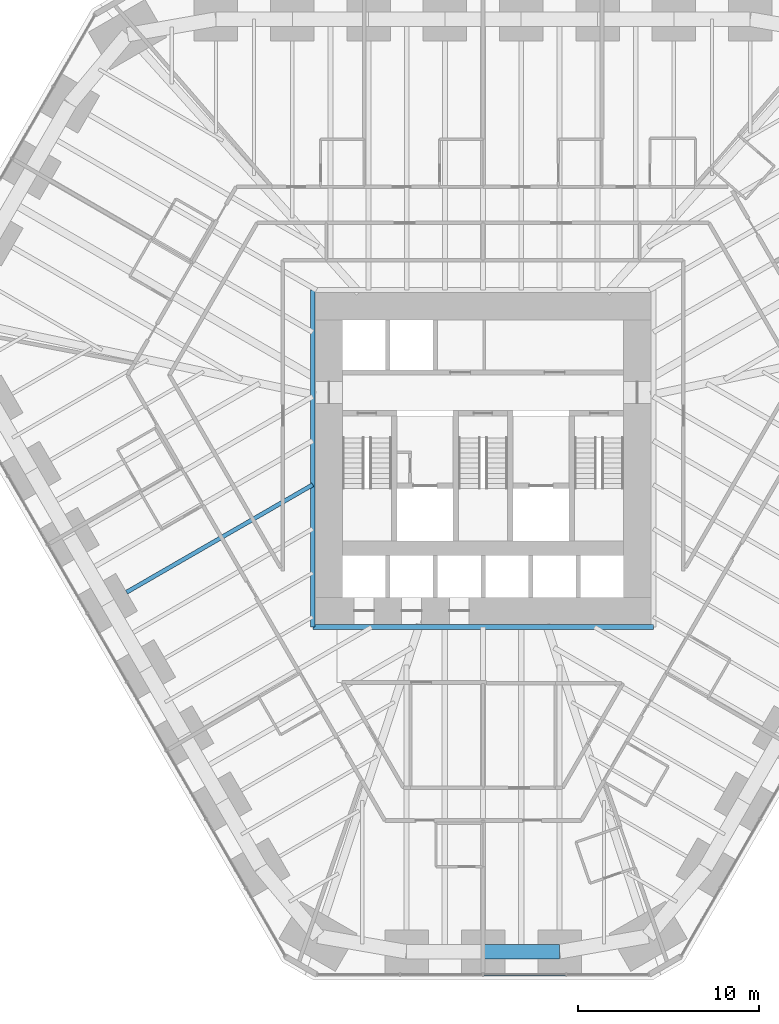
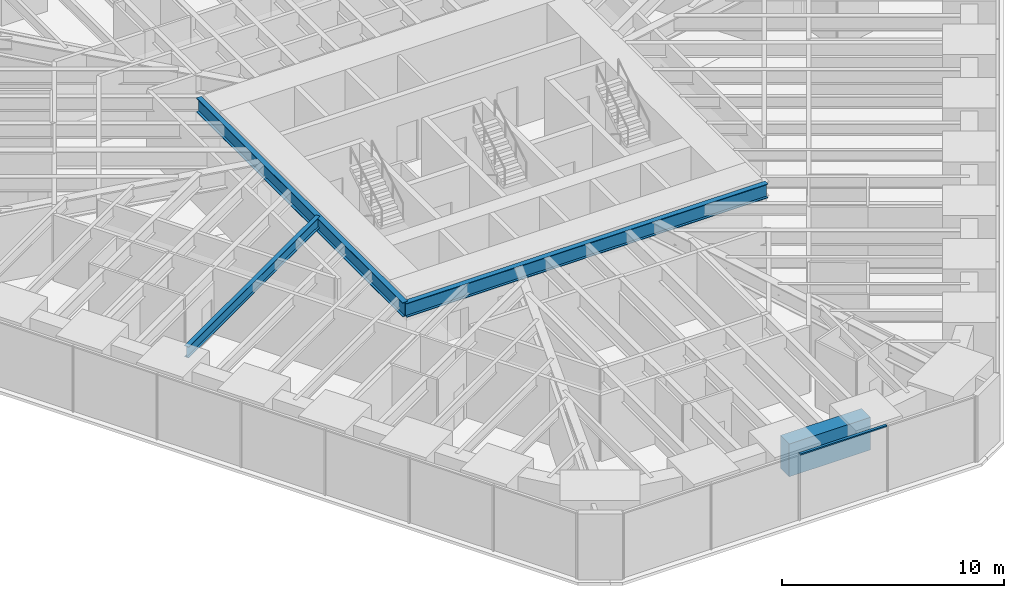
# One storey, part 4 of 17: 4 beams, 1 member, 1 element without a shape of its own.
"""IFC4 building model written with IfcOpenShell, lengths in metres."""

from ifc_helpers import new_model, si_unit, direction, frame, origin, origin_2d, place, context, subcontext, project, spatial, rectangle, i_section, extrude, material, material_profile, profile_set, type_object, element, aggregate, save


model = new_model("IFC4")

# Units and contexts
model_context = context("Model", 3, precision=1e-05, world=origin(), true_north=direction((0.0, 1.0)))
body_context = subcontext(model_context, "Body", "Model", "MODEL_VIEW")
ifc_project = project(units=[si_unit("LENGTHUNIT", "METRE"), si_unit("AREAUNIT", "SQUARE_METRE"), si_unit("VOLUMEUNIT", "CUBIC_METRE"), si_unit("PLANEANGLEUNIT", "RADIAN"), si_unit("MASSUNIT", "GRAM", prefix="KILO")], contexts=[model_context])

# Site, building, storey
site_placement = place(None, origin())
site = spatial("IfcSite", under=ifc_project, at=site_placement, CompositionType="ELEMENT")
building_placement = place(site_placement, origin())
building = spatial("IfcBuilding", under=site, at=building_placement, Name="Sandreach Pilgrim Tower", CompositionType="ELEMENT")
storey_placement = place(building_placement, frame((0.0, 0.0, 42.0)))
storey = spatial("IfcBuildingStorey", under=building, at=storey_placement, Name="L09", CompositionType="ELEMENT", Elevation=42.0)

# Curtain wall, member
ifc_material_1 = material(Name="Aluminium framed curtain wall", Category="aluminium")
curtain_wall_type = type_object("IfcCurtainWallType", Name="Hostel tower curtain wall", PredefinedType="NOTDEFINED", material=ifc_material_1)
curtain_wall_placement = place(storey_placement, origin())
curtain_wall = element("IfcCurtainWall", 1, at=curtain_wall_placement, inside=storey, type_object=curtain_wall_type, Name="CW-1 L09 S", PredefinedType="NOTDEFINED")
ifc_material_2 = material(Name="Aluminium extrusion", Category="aluminium")
ifc_material_profile_1 = material_profile(ifc_material_2, rectangle(XDim=0.139892578125, YDim=0.070068359375, at=origin_2d()), Name="CW-1T 140X70")
ifc_profile_set_1 = profile_set([ifc_material_profile_1], Name="Aluminium extrusion")
member_type = type_object("IfcMemberType", Name="CW-1 transom", PredefinedType="USERDEFINED", material=ifc_profile_set_1)
member_placement = place(storey_placement, frame((4.553466796875, -30.010986328125, 3.60498046875), z_axis=(-1.0, 0.0, 0.0), x_axis=(0.0, -1.0, 0.0)))
member = element("IfcMember", 2, at=member_placement, type_object=member_type, Name="CW-1 head transom 2", ObjectType="TRANSOM", PredefinedType="USERDEFINED", context=body_context, shape_type="SweptSolid", body=[
    extrude(rectangle(XDim=0.139892578125, YDim=0.070068359375, at=origin_2d()), origin(), (0.0, 0.0, 1.0), 4.52099609375),
])
aggregate(curtain_wall, [member])

# Beams
ifc_material_3 = material(Name="Steel ASTM A992 Grade 50", Category="steel")
ifc_material_profile_2 = material_profile(ifc_material_3, i_section(OverallWidth=0.2666015625, OverallDepth=0.77978515625, WebThickness=0.0166015625, FlangeThickness=0.030029296875, at=origin_2d()), Name="W30X148")
ifc_profile_set_2 = profile_set([ifc_material_profile_2], Name="Steel ASTM A992 Grade 50")
beam_type_1 = type_object("IfcBeamType", Name="Core edge beam W30X148", PredefinedType="BEAM", material=ifc_profile_set_2)
beam_1_placement = place(storey_placement, frame((9.393310546875, -10.84326171875, 3.25), z_axis=(-1.0, 0.0, 0.0), x_axis=(0.0, -1.0, 0.0)))
element("IfcBeam", 3, at=beam_1_placement, inside=storey, type_object=beam_type_1, Name="BM L09 CES", PredefinedType="BEAM", context=body_context, shape_type="SweptSolid", body=[
    extrude(i_section(OverallWidth=0.2666015625, OverallDepth=0.77978515625, WebThickness=0.0166015625, FlangeThickness=0.030029296875, at=origin_2d()), origin(), (0.0, 0.0, 1.0), 18.78662109375),
])
beam_2_placement = place(storey_placement, frame((-9.393310546875, -10.84326171875, 3.25), z_axis=(0.0, 1.0, 0.0), x_axis=(-1.0, 0.0, 0.0)))
element("IfcBeam", 4, at=beam_2_placement, inside=storey, type_object=beam_type_1, Name="BM L09 CEW", PredefinedType="BEAM", context=body_context, shape_type="SweptSolid", body=[
    extrude(i_section(OverallWidth=0.2666015625, OverallDepth=0.77978515625, WebThickness=0.0166015625, FlangeThickness=0.030029296875, at=origin_2d()), origin(), (0.0, 0.0, 1.0), 18.586669921875),
])
ifc_material_4 = material(Name="Steel ASTM A992 Grade 50", Category="steel")
ifc_material_profile_3 = material_profile(ifc_material_4, i_section(OverallWidth=0.23046875, OverallDepth=0.6171875, WebThickness=0.01318359375, FlangeThickness=0.022216796875, at=origin_2d()), Name="W24X94")
ifc_profile_set_3 = profile_set([ifc_material_profile_3], Name="Steel ASTM A992 Grade 50")
beam_type_2 = type_object("IfcBeamType", Name="Floor beam W24X94", PredefinedType="BEAM", material=ifc_profile_set_3)
beam_3_placement = place(storey_placement, frame((-19.662353515625, -8.92138671875, 3.331298828125), z_axis=(0.866029924088, 0.499992170523, 0.0), x_axis=(-0.499992170523, 0.866029924088, 0.0)))
element("IfcBeam", 5, at=beam_3_placement, inside=storey, type_object=beam_type_2, Name="BM L09 F31", PredefinedType="BEAM", context=body_context, shape_type="SweptSolid", body=[
    extrude(i_section(OverallWidth=0.23046875, OverallDepth=0.6171875, WebThickness=0.01318359375, FlangeThickness=0.022216796875, at=origin_2d()), origin(), (0.0, 0.0, 1.0), 11.857666015625),
])
ifc_material_5 = material(Name="Concrete 10000 psi", Category="concrete")
ifc_material_profile_4 = material_profile(ifc_material_5, rectangle(XDim=0.800048828125, YDim=1.800048828125, at=origin_2d()), Name="RC800X1800")
ifc_profile_set_4 = profile_set([ifc_material_profile_4], Name="Concrete 10000 psi")
beam_type_3 = type_object("IfcBeamType", Name="Spandrel beam RC800X1800", PredefinedType="SPANDREL", material=ifc_profile_set_4)
beam_4_placement = place(storey_placement, frame((4.222412109375, -28.7509765625, 2.739990234375), z_axis=(-1.0, 0.0, 0.0), x_axis=(0.0, -1.0, 0.0)))
element("IfcBeam", 6, at=beam_4_placement, inside=storey, type_object=beam_type_3, Name="BM L09 SP23", PredefinedType="SPANDREL", context=body_context, shape_type="SweptSolid", body=[
    extrude(rectangle(XDim=0.800048828125, YDim=1.800048828125, at=origin_2d()), origin(), (0.0, 0.0, 1.0), 4.222412109375),
])

save(model, "model.ifc")
